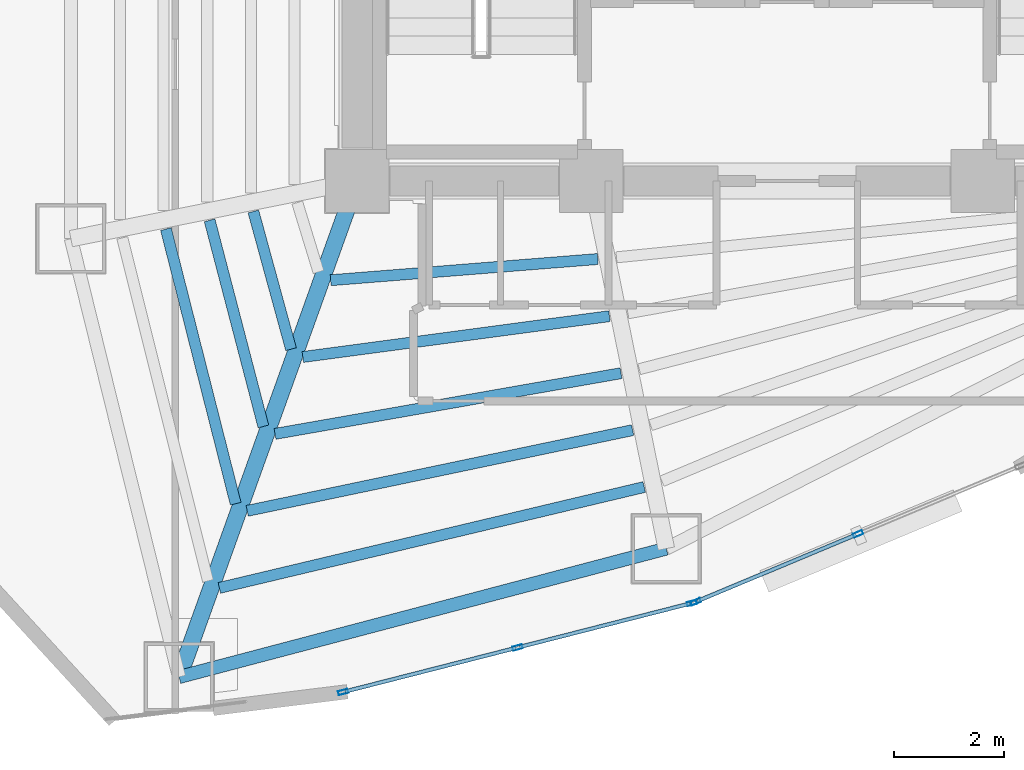
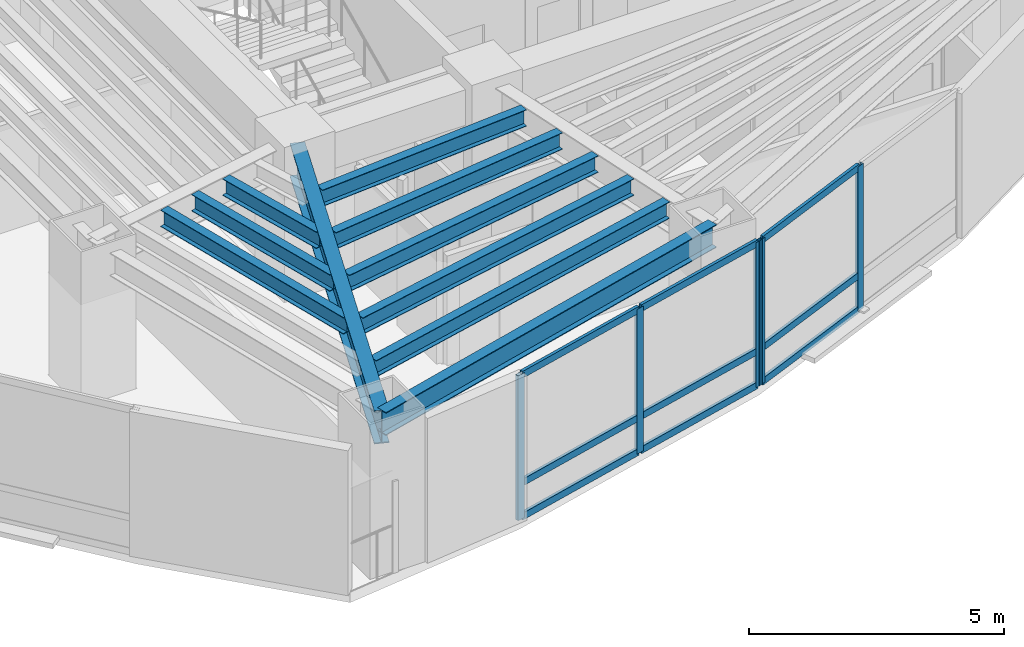
# One storey, part 5 of 23: 14 members, 10 beams, 2 elements without a shape of their own.
"""IFC4 building model written with IfcOpenShell, lengths in metres."""

from ifc_helpers import new_model, si_unit, direction, frame, origin, origin_2d, place, context, subcontext, project, spatial, hollow_rectangle, i_section, extrude, material, layer, layer_set, material_profile, profile_set, type_object, element, aggregate, save


model = new_model("IFC4")

# Units and contexts
model_context = context("Model", 3, precision=1e-05, world=origin(), true_north=direction((0.0, 1.0)))
body_context = subcontext(model_context, "Body", "Model", "MODEL_VIEW")
ifc_project = project(units=[si_unit("LENGTHUNIT", "METRE"), si_unit("AREAUNIT", "SQUARE_METRE"), si_unit("VOLUMEUNIT", "CUBIC_METRE"), si_unit("PLANEANGLEUNIT", "RADIAN"), si_unit("MASSUNIT", "GRAM", prefix="KILO")], contexts=[model_context])

# Site, building, storey
site_placement = place(None, origin())
site = spatial("IfcSite", under=ifc_project, at=site_placement, CompositionType="ELEMENT")
building_placement = place(site_placement, origin())
building = spatial("IfcBuilding", under=site, at=building_placement, Name="Menara Vayukalpa", CompositionType="ELEMENT")
storey_placement = place(building_placement, frame((0.0, 0.0, 107.699951171875)))
storey = spatial("IfcBuildingStorey", under=building, at=storey_placement, Name="L26", CompositionType="ELEMENT", Elevation=107.699951171875)

# Beams
ifc_material_1 = material(Name="Steel S355", Category="steel")
ifc_material_profile_1 = material_profile(ifc_material_1, i_section(OverallWidth=0.300048828125, OverallDepth=0.800048828125, WebThickness=0.013916015625, FlangeThickness=0.02587890625, at=origin_2d()), Name="WF 800x300x14x26")
ifc_profile_set_1 = profile_set([ifc_material_profile_1], Name="Steel S355")
beam_type_1 = type_object("IfcBeamType", Name="BM-PG3", PredefinedType="BEAM", material=ifc_profile_set_1)
beam_1_placement = place(storey_placement, frame((17.715576171875, 16.964599609375, 3.070068359375), z_axis=(-0.337975542909, -0.941154892882, 0.0), x_axis=(0.941154892882, -0.337975542909, 0.0)))
element("IfcBeam", 1, at=beam_1_placement, inside=storey, type_object=beam_type_1, Name="L26 Primary Radial Girder RG07", PredefinedType="BEAM", context=body_context, shape_type="SweptSolid", body=[
    extrude(i_section(OverallWidth=0.300048828125, OverallDepth=0.800048828125, WebThickness=0.013916015625, FlangeThickness=0.02587890625, at=origin_2d()), origin(), (0.0, 0.0, 1.0), 9.309814453125),
])
ifc_material_2 = material(Name="Steel S355", Category="steel")
ifc_material_profile_2 = material_profile(ifc_material_2, i_section(OverallWidth=0.199951171875, OverallDepth=0.39990234375, WebThickness=0.008056640625, FlangeThickness=0.012939453125, at=origin_2d()), Name="WF 400x200x8x13")
ifc_profile_set_2 = profile_set([ifc_material_profile_2], Name="Steel S355")
beam_type_2 = type_object("IfcBeamType", Name="BM-SJ2", PredefinedType="JOIST", material=ifc_profile_set_2)
beam_2_placement = place(storey_placement, frame((15.917236328125, 16.64794921875, 3.27001953125), z_axis=(0.263922858843, -0.964543790908, 0.0), x_axis=(0.964543790908, 0.263922858843, 0.0)))
element("IfcBeam", 2, at=beam_2_placement, inside=storey, type_object=beam_type_2, Name="L26 Secondary Floor Joist SJ06-2", PredefinedType="JOIST", context=body_context, shape_type="SweptSolid", body=[
    extrude(i_section(OverallWidth=0.199951171875, OverallDepth=0.39990234375, WebThickness=0.008056640625, FlangeThickness=0.012939453125, at=origin_2d()), origin(), (0.0, 0.0, 1.0), 2.590087890625),
])
beam_3_placement = place(storey_placement, frame((15.123779296875, 16.488037109375, 3.27001953125), z_axis=(0.252406469257, -0.967621296933, 0.0), x_axis=(0.967621296933, 0.252406469257, 0.0)))
element("IfcBeam", 3, at=beam_3_placement, inside=storey, type_object=beam_type_2, Name="L26 Secondary Floor Joist SJ06-3", PredefinedType="JOIST", context=body_context, shape_type="SweptSolid", body=[
    extrude(i_section(OverallWidth=0.199951171875, OverallDepth=0.39990234375, WebThickness=0.008056640625, FlangeThickness=0.012939453125, at=origin_2d()), origin(), (0.0, 0.0, 1.0), 3.865234375),
])
beam_4_placement = place(storey_placement, frame((14.330810546875, 16.328369140625, 3.27001953125), z_axis=(0.246311066692, -0.969190826631, 0.0), x_axis=(0.969190826631, 0.246311066692, 0.0)))
element("IfcBeam", 4, at=beam_4_placement, inside=storey, type_object=beam_type_2, Name="L26 Secondary Floor Joist SJ06-4", PredefinedType="JOIST", context=body_context, shape_type="SweptSolid", body=[
    extrude(i_section(OverallWidth=0.199951171875, OverallDepth=0.39990234375, WebThickness=0.008056640625, FlangeThickness=0.012939453125, at=origin_2d()), origin(), (0.0, 0.0, 1.0), 5.140380859375),
])
beam_5_placement = place(storey_placement, frame((17.318603515625, 15.40087890625, 3.27001953125), z_axis=(0.996868534468, 0.079076703187, 0.0), x_axis=(-0.079076703187, 0.996868534468, 0.0)))
element("IfcBeam", 5, at=beam_5_placement, inside=storey, type_object=beam_type_2, Name="L26 Secondary Floor Joist SJ07-1", PredefinedType="JOIST", context=body_context, shape_type="SweptSolid", body=[
    extrude(i_section(OverallWidth=0.199951171875, OverallDepth=0.39990234375, WebThickness=0.008056640625, FlangeThickness=0.012939453125, at=origin_2d()), origin(), (0.0, 0.0, 1.0), 4.862548828125),
])
beam_6_placement = place(storey_placement, frame((16.814208984375, 14.008056640625, 3.27001953125), z_axis=(0.991248408809, 0.132009817941, 0.0), x_axis=(-0.132009817941, 0.991248408809, 0.0)))
element("IfcBeam", 6, at=beam_6_placement, inside=storey, type_object=beam_type_2, Name="L26 Secondary Floor Joist SJ07-2", PredefinedType="JOIST", context=body_context, shape_type="SweptSolid", body=[
    extrude(i_section(OverallWidth=0.199951171875, OverallDepth=0.39990234375, WebThickness=0.008056640625, FlangeThickness=0.012939453125, at=origin_2d()), origin(), (0.0, 0.0, 1.0), 5.611083984375),
])
beam_7_placement = place(storey_placement, frame((16.309814453125, 12.613037109375, 3.27001953125), z_axis=(0.984953935883, 0.172817083033, 0.0), x_axis=(-0.172817083033, 0.984953935883, 0.0)))
element("IfcBeam", 7, at=beam_7_placement, inside=storey, type_object=beam_type_2, Name="L26 Secondary Floor Joist SJ07-3", PredefinedType="JOIST", context=body_context, shape_type="SweptSolid", body=[
    extrude(i_section(OverallWidth=0.199951171875, OverallDepth=0.39990234375, WebThickness=0.008056640625, FlangeThickness=0.012939453125, at=origin_2d()), origin(), (0.0, 0.0, 1.0), 6.372802734375),
])
beam_8_placement = place(storey_placement, frame((15.805419921875, 11.216552734375, 3.27001953125), z_axis=(0.978749487369, 0.205059603471, 0.0), x_axis=(-0.205059603471, 0.978749487369, 0.0)))
element("IfcBeam", 8, at=beam_8_placement, inside=storey, type_object=beam_type_2, Name="L26 Secondary Floor Joist SJ07-4", PredefinedType="JOIST", context=body_context, shape_type="SweptSolid", body=[
    extrude(i_section(OverallWidth=0.199951171875, OverallDepth=0.39990234375, WebThickness=0.008056640625, FlangeThickness=0.012939453125, at=origin_2d()), origin(), (0.0, 0.0, 1.0), 7.1435546875),
])
beam_9_placement = place(storey_placement, frame((15.30078125, 9.819091796875, 3.27001953125), z_axis=(0.97293603101, 0.231074619036, 0.0), x_axis=(-0.231074619036, 0.97293603101, 0.0)))
element("IfcBeam", 9, at=beam_9_placement, inside=storey, type_object=beam_type_2, Name="L26 Secondary Floor Joist SJ07-5", PredefinedType="JOIST", context=body_context, shape_type="SweptSolid", body=[
    extrude(i_section(OverallWidth=0.199951171875, OverallDepth=0.39990234375, WebThickness=0.008056640625, FlangeThickness=0.012939453125, at=origin_2d()), origin(), (0.0, 0.0, 1.0), 7.9208984375),
])
ifc_material_3 = material(Name="Steel S355", Category="steel")
ifc_material_profile_3 = material_profile(ifc_material_3, i_section(OverallWidth=0.239990234375, OverallDepth=0.550048828125, WebThickness=0.010986328125, FlangeThickness=0.01904296875, at=origin_2d()), Name="WF 550x240x11x19")
ifc_profile_set_3 = profile_set([ifc_material_profile_3], Name="Steel S355")
beam_type_3 = type_object("IfcBeamType", Name="BM-SP2", PredefinedType="SPANDREL", material=ifc_profile_set_3)
beam_10_placement = place(storey_placement, frame((14.569091796875, 8.20263671875, 3.195068359375), z_axis=(0.966966857313, 0.254902131921, 0.0), x_axis=(-0.254902131921, 0.966966857313, 0.0)))
element("IfcBeam", 10, at=beam_10_placement, inside=storey, type_object=beam_type_3, Name="L26 Perimeter Spandrel Beam SP07", PredefinedType="SPANDREL", context=body_context, shape_type="SweptSolid", body=[
    extrude(i_section(OverallWidth=0.239990234375, OverallDepth=0.550048828125, WebThickness=0.010986328125, FlangeThickness=0.01904296875, at=origin_2d()), origin(), (0.0, 0.0, 1.0), 9.14111328125),
])

# Curtain wall, members
ifc_material_4 = material(Name="Anodised Terracotta Aluminium Alloy 6063-T6", Category="masonry")
ifc_layer = layer(ifc_material_4, 0.179931640625)
ifc_layer_set = layer_set([ifc_layer], Name="Anodised Terracotta Aluminium Alloy 6063-T6")
curtain_wall_type = type_object("IfcCurtainWallType", Name="CW-CW4", PredefinedType="USERDEFINED", material=ifc_layer_set)
curtain_wall_1_placement = place(storey_placement, origin())
curtain_wall_1 = element("IfcCurtainWall", 11, at=curtain_wall_1_placement, inside=storey, type_object=curtain_wall_type, Name="L26 Sky Bar Cantilever Glazed Curtain Wall CW4 16", ObjectType="UNITISED", PredefinedType="USERDEFINED")
ifc_material_5 = material(Name="Anodised Terracotta Aluminium Alloy 6063-T6", Category="masonry")
ifc_material_profile_4 = material_profile(ifc_material_5, hollow_rectangle(XDim=0.074951171875, YDim=0.179931640625, WallThickness=0.00390625, at=origin_2d()), Name="ALU 75x180x4")
ifc_profile_set_4 = profile_set([ifc_material_profile_4], Name="Anodised Terracotta Aluminium Alloy 6063-T6")
member_type_1 = type_object("IfcMemberType", Name="CWM-CW4", PredefinedType="MULLION", material=ifc_profile_set_4)
member_1_placement = place(storey_placement, frame((17.546630859375, 7.93017578125, 0.0), z_axis=(0.0, 0.0, 1.0), x_axis=(-0.247130597017, 0.968982181476, 0.0)))
member_1 = element("IfcMember", 12, at=member_1_placement, type_object=member_type_1, Name="CW4 mullion 1", PredefinedType="MULLION", context=body_context, shape_type="SweptSolid", body=[
    extrude(hollow_rectangle(XDim=0.074951171875, YDim=0.179931640625, WallThickness=0.00390625, at=origin_2d()), origin(), (0.0, 0.0, 1.0), 3.469970703125),
])
member_2_placement = place(storey_placement, frame((20.708984375, 8.736572265625, 0.0), z_axis=(0.0, 0.0, 1.0), x_axis=(-0.247130597017, 0.968982181476, 0.0)))
member_2 = element("IfcMember", 13, at=member_2_placement, type_object=member_type_1, Name="CW4 mullion 2", PredefinedType="MULLION", context=body_context, shape_type="SweptSolid", body=[
    extrude(hollow_rectangle(XDim=0.074951171875, YDim=0.179931640625, WallThickness=0.00390625, at=origin_2d()), origin(), (0.0, 0.0, 1.0), 3.469970703125),
])
member_3_placement = place(storey_placement, frame((23.87109375, 9.543212890625, 0.0), z_axis=(0.0, 0.0, 1.0), x_axis=(-0.247130597017, 0.968982181476, 0.0)))
member_3 = element("IfcMember", 14, at=member_3_placement, type_object=member_type_1, Name="CW4 mullion 3", PredefinedType="MULLION", context=body_context, shape_type="SweptSolid", body=[
    extrude(hollow_rectangle(XDim=0.074951171875, YDim=0.179931640625, WallThickness=0.00390625, at=origin_2d()), origin(), (0.0, 0.0, 1.0), 3.469970703125),
])

curtain_wall_2_placement = place(storey_placement, origin())
curtain_wall_2 = element("IfcCurtainWall", 15, at=curtain_wall_2_placement, inside=storey, type_object=curtain_wall_type, Name="L26 Sky Bar Cantilever Glazed Curtain Wall CW4 17", ObjectType="UNITISED", PredefinedType="USERDEFINED")
member_4_placement = place(storey_placement, frame((23.94189453125, 9.56689453125, 0.0), z_axis=(0.0, 0.0, 1.0), x_axis=(-0.38589358437, 0.922543300632, 0.0)))
member_4 = element("IfcMember", 16, at=member_4_placement, type_object=member_type_1, Name="CW4 mullion 1", PredefinedType="MULLION", context=body_context, shape_type="SweptSolid", body=[
    extrude(hollow_rectangle(XDim=0.074951171875, YDim=0.179931640625, WallThickness=0.00390625, at=origin_2d()), origin(), (0.0, 0.0, 1.0), 3.469970703125),
])
member_5_placement = place(storey_placement, frame((26.88671875, 10.798583984375, 0.0), z_axis=(0.0, 0.0, 1.0), x_axis=(-0.38589358437, 0.922543300632, 0.0)))
member_5 = element("IfcMember", 17, at=member_5_placement, type_object=member_type_1, Name="CW4 mullion 2", PredefinedType="MULLION", context=body_context, shape_type="SweptSolid", body=[
    extrude(hollow_rectangle(XDim=0.074951171875, YDim=0.179931640625, WallThickness=0.00390625, at=origin_2d()), origin(), (0.0, 0.0, 1.0), 3.469970703125),
])

# Member
ifc_material_6 = material(Name="Anodised Terracotta Aluminium Alloy 6063-T6", Category="masonry")
ifc_material_profile_5 = material_profile(ifc_material_6, hollow_rectangle(XDim=0.070068359375, YDim=0.1650390625, WallThickness=0.00390625, at=origin_2d()), Name="ALU 70x165x4")
ifc_profile_set_5 = profile_set([ifc_material_profile_5], Name="Anodised Terracotta Aluminium Alloy 6063-T6")
member_type_2 = type_object("IfcMemberType", Name="CWT-CW4", PredefinedType="USERDEFINED", material=ifc_profile_set_5)
member_6_placement = place(storey_placement, frame((17.5830078125, 7.939453125, 0.03515625), z_axis=(0.968992251475, 0.247091109878, 0.0), x_axis=(-0.247091109878, 0.968992251475, 0.0)))
member_6 = element("IfcMember", 18, at=member_6_placement, type_object=member_type_2, Name="CW4 transom 1.1", ObjectType="TRANSOM", PredefinedType="USERDEFINED", context=body_context, shape_type="SweptSolid", body=[
    extrude(hollow_rectangle(XDim=0.070068359375, YDim=0.1650390625, WallThickness=0.00390625, at=origin_2d()), origin(), (0.0, 0.0, 1.0), 3.1884765625),
])

member_7_placement = place(storey_placement, frame((17.5830078125, 7.939453125, 0.85009765625), z_axis=(0.968992251475, 0.247091109878, 0.0), x_axis=(-0.247091109878, 0.968992251475, 0.0)))
member_7 = element("IfcMember", 19, at=member_7_placement, type_object=member_type_2, Name="CW4 transom 1.2", ObjectType="TRANSOM", PredefinedType="USERDEFINED", context=body_context, shape_type="SweptSolid", body=[
    extrude(hollow_rectangle(XDim=0.070068359375, YDim=0.1650390625, WallThickness=0.00390625, at=origin_2d()), origin(), (0.0, 0.0, 1.0), 3.1884765625),
])

member_8_placement = place(storey_placement, frame((17.5830078125, 7.939453125, 3.43505859375), z_axis=(0.968992251475, 0.247091109878, 0.0), x_axis=(-0.247091109878, 0.968992251475, 0.0)))
member_8 = element("IfcMember", 20, at=member_8_placement, type_object=member_type_2, Name="CW4 transom 1.3", ObjectType="TRANSOM", PredefinedType="USERDEFINED", context=body_context, shape_type="SweptSolid", body=[
    extrude(hollow_rectangle(XDim=0.070068359375, YDim=0.1650390625, WallThickness=0.00390625, at=origin_2d()), origin(), (0.0, 0.0, 1.0), 3.1884765625),
])

member_9_placement = place(storey_placement, frame((20.7451171875, 8.745849609375, 0.03515625), z_axis=(0.968973916069, 0.24716300285, 0.0), x_axis=(-0.24716300285, 0.968973916069, 0.0)))
member_9 = element("IfcMember", 21, at=member_9_placement, type_object=member_type_2, Name="CW4 transom 2.1", ObjectType="TRANSOM", PredefinedType="USERDEFINED", context=body_context, shape_type="SweptSolid", body=[
    extrude(hollow_rectangle(XDim=0.070068359375, YDim=0.1650390625, WallThickness=0.00390625, at=origin_2d()), origin(), (0.0, 0.0, 1.0), 3.1884765625),
])

member_10_placement = place(storey_placement, frame((20.7451171875, 8.745849609375, 0.85009765625), z_axis=(0.968973916069, 0.24716300285, 0.0), x_axis=(-0.24716300285, 0.968973916069, 0.0)))
member_10 = element("IfcMember", 22, at=member_10_placement, type_object=member_type_2, Name="CW4 transom 2.2", ObjectType="TRANSOM", PredefinedType="USERDEFINED", context=body_context, shape_type="SweptSolid", body=[
    extrude(hollow_rectangle(XDim=0.070068359375, YDim=0.1650390625, WallThickness=0.00390625, at=origin_2d()), origin(), (0.0, 0.0, 1.0), 3.1884765625),
])

member_11_placement = place(storey_placement, frame((20.7451171875, 8.745849609375, 3.43505859375), z_axis=(0.968973916069, 0.24716300285, 0.0), x_axis=(-0.24716300285, 0.968973916069, 0.0)))
member_11 = element("IfcMember", 23, at=member_11_placement, type_object=member_type_2, Name="CW4 transom 2.3", ObjectType="TRANSOM", PredefinedType="USERDEFINED", context=body_context, shape_type="SweptSolid", body=[
    extrude(hollow_rectangle(XDim=0.070068359375, YDim=0.1650390625, WallThickness=0.00390625, at=origin_2d()), origin(), (0.0, 0.0, 1.0), 3.1884765625),
])

aggregate(curtain_wall_1, [member_1, member_2, member_3, member_6, member_7, member_8, member_9, member_10, member_11])

member_12_placement = place(storey_placement, frame((23.9765625, 9.581298828125, 0.03515625), z_axis=(0.922533742775, 0.385916433236, 0.0), x_axis=(-0.385916433236, 0.922533742775, 0.0)))
member_12 = element("IfcMember", 24, at=member_12_placement, type_object=member_type_2, Name="CW4 transom 1.1", ObjectType="TRANSOM", PredefinedType="USERDEFINED", context=body_context, shape_type="SweptSolid", body=[
    extrude(hollow_rectangle(XDim=0.070068359375, YDim=0.1650390625, WallThickness=0.00390625, at=origin_2d()), origin(), (0.0, 0.0, 1.0), 3.116943359375),
])

member_13_placement = place(storey_placement, frame((23.9765625, 9.581298828125, 0.85009765625), z_axis=(0.922533742775, 0.385916433236, 0.0), x_axis=(-0.385916433236, 0.922533742775, 0.0)))
member_13 = element("IfcMember", 25, at=member_13_placement, type_object=member_type_2, Name="CW4 transom 1.2", ObjectType="TRANSOM", PredefinedType="USERDEFINED", context=body_context, shape_type="SweptSolid", body=[
    extrude(hollow_rectangle(XDim=0.070068359375, YDim=0.1650390625, WallThickness=0.00390625, at=origin_2d()), origin(), (0.0, 0.0, 1.0), 3.116943359375),
])

member_14_placement = place(storey_placement, frame((23.9765625, 9.581298828125, 3.43505859375), z_axis=(0.922533742775, 0.385916433236, 0.0), x_axis=(-0.385916433236, 0.922533742775, 0.0)))
member_14 = element("IfcMember", 26, at=member_14_placement, type_object=member_type_2, Name="CW4 transom 1.3", ObjectType="TRANSOM", PredefinedType="USERDEFINED", context=body_context, shape_type="SweptSolid", body=[
    extrude(hollow_rectangle(XDim=0.070068359375, YDim=0.1650390625, WallThickness=0.00390625, at=origin_2d()), origin(), (0.0, 0.0, 1.0), 3.116943359375),
])

aggregate(curtain_wall_2, [member_4, member_5, member_12, member_13, member_14])

save(model, "model.ifc")
